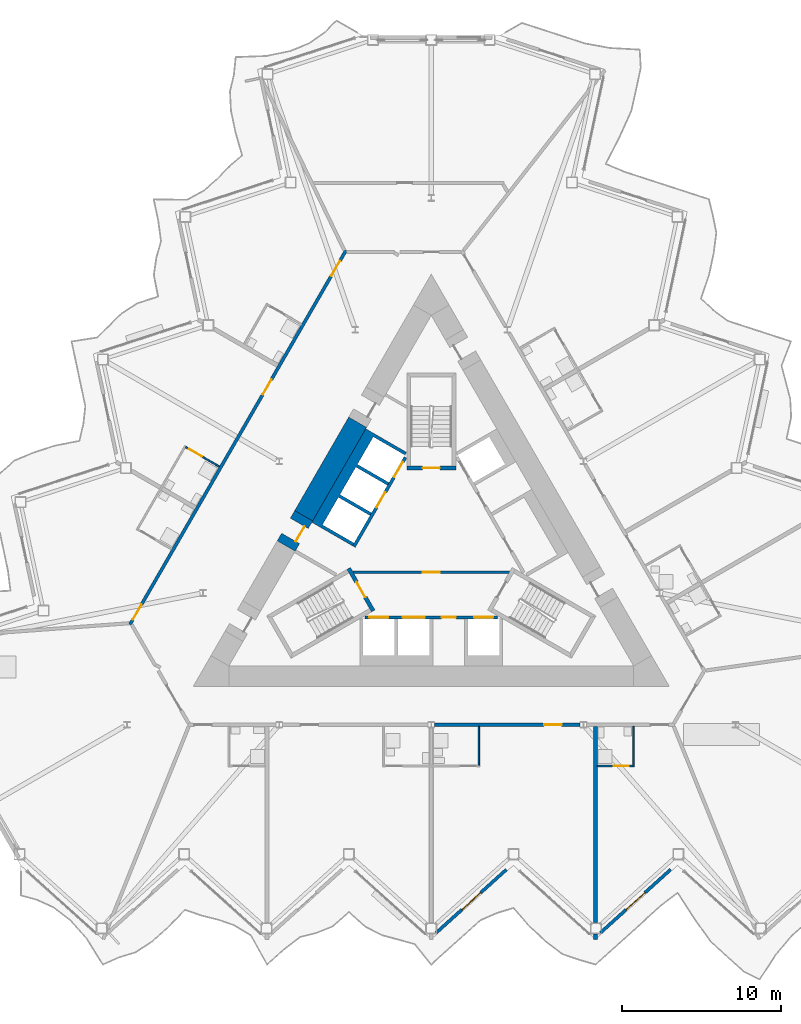
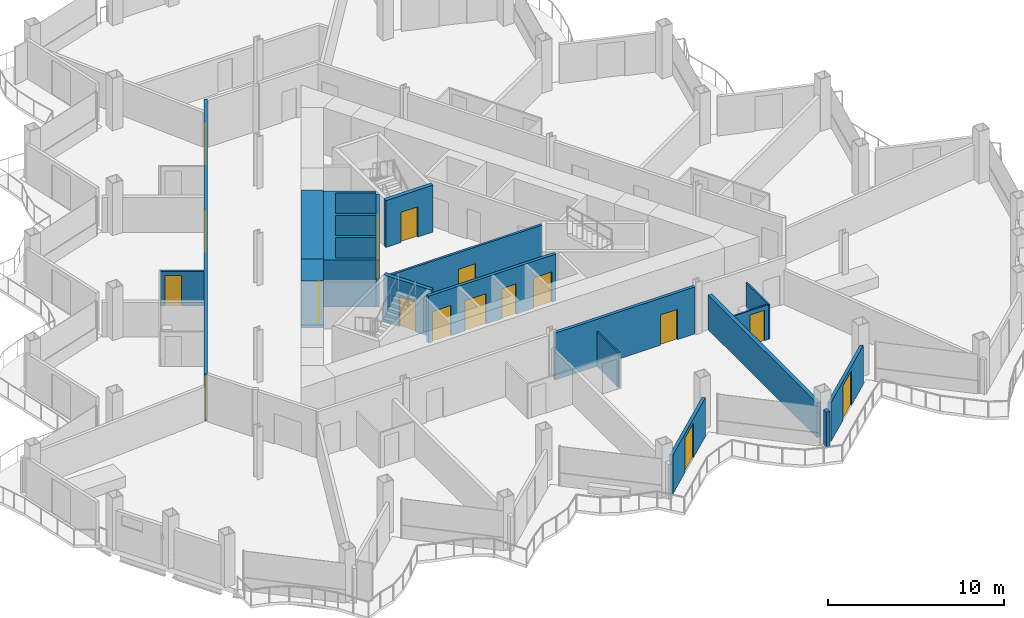
# One storey, part 12 of 24: 18 doors, 18 walls, 18 openings.
"""IFC4 building model written with IfcOpenShell, lengths in metres."""

from ifc_helpers import new_model, si_unit, direction, frame, frame_2d, origin, place, context, subcontext, project, spatial, polyline, rectangle, outline, extrude, material, layer, layer_set, type_object, element, fill, save


model = new_model("IFC4")

# Units and contexts
model_context = context("Model", 3, precision=1e-05, world=origin(), true_north=direction((0.0, 1.0)))
body_context = subcontext(model_context, "Body", "Model", "MODEL_VIEW")
ifc_project = project(units=[si_unit("LENGTHUNIT", "METRE"), si_unit("AREAUNIT", "SQUARE_METRE"), si_unit("VOLUMEUNIT", "CUBIC_METRE"), si_unit("PLANEANGLEUNIT", "RADIAN"), si_unit("MASSUNIT", "GRAM", prefix="KILO")], contexts=[model_context])

# Site, building, storey
site_placement = place(None, origin())
site = spatial("IfcSite", under=ifc_project, at=site_placement, CompositionType="ELEMENT")
building_placement = place(site_placement, origin())
building = spatial("IfcBuilding", under=site, at=building_placement, Name="Cormorant Prow Tower", CompositionType="ELEMENT")
storey_placement = place(building_placement, frame((0.0, 0.0, 238.199951171875)))
storey = spatial("IfcBuildingStorey", under=building, at=storey_placement, Name="L52", CompositionType="ELEMENT", Elevation=238.199951171875)

# Wall, opening, door
ifc_material_1 = material(Name="Gypsum board partition")
ifc_layer_1 = layer(ifc_material_1, 0.14990234375)
ifc_layer_set_1 = layer_set([ifc_layer_1], Name="Gypsum board partition")
wall_type_1 = type_object("IfcWallType", Name="Core partition 150", PredefinedType="PARTITIONING", material=ifc_layer_set_1)
wall_1_placement = place(storey_placement, frame((-4.941162109375, -1.449951171875, 0.0), z_axis=(0.0, 0.0, 1.0), x_axis=(1.0, 0.0, 0.0)))
wall_1 = element("IfcWall", 1, at=wall_1_placement, inside=storey, type_object=wall_type_1, Name="Firefighting lobby partition", PredefinedType="PARTITIONING", context=body_context, shape_type="SweptSolid", body=[
    extrude(rectangle(XDim=9.88232421875, YDim=0.14990234375, at=frame_2d((4.941162109375, 0.0))), origin(), (0.0, 0.0, 1.0), 3.25),
])
opening_1_placement = place(wall_1_placement, frame((4.39111328125, 0.0, 0.0)))
opening_1 = element("IfcOpeningElement", 2, at=opening_1_placement, cuts=wall_1, Name="Opening L52-C10", PredefinedType="OPENING", context=body_context, shape_type="SweptSolid", body=[
    extrude(rectangle(XDim=1.10009765625, YDim=2.10009765625, at=frame_2d((0.550048828125, 1.050048828125))), frame((0.0, 0.0849609375, 0.0), z_axis=(0.0, -1.0, 0.0), x_axis=(1.0, 0.0, 0.0)), (0.0, 0.0, 1.0), 0.169921875),
])
ifc_material_2 = material(Name="Painted steel", Category="steel")
door_type_1 = type_object("IfcDoorType", Name="Firefighting lobby door 1100x2100", OperationType="NOTDEFINED", PredefinedType="DOOR", material=ifc_material_2)
door_1_placement = place(opening_1_placement, origin())
door_1 = element("IfcDoor", 3, at=door_1_placement, inside=storey, type_object=door_type_1, Name="Firefighting lobby door", OperationType="SINGLE_SWING_RIGHT", OverallHeight=2.10009765625, OverallWidth=1.10009765625, PredefinedType="DOOR", context=body_context, shape_type="SweptSolid", body=[
    extrude(rectangle(XDim=1.10009765625, YDim=2.10009765625, at=frame_2d((0.550048828125, 1.050048828125))), frame((0.0, 0.02490234375, 0.0), z_axis=(0.0, -1.0, 0.0), x_axis=(1.0, 0.0, 0.0)), (0.0, 0.0, 1.0), 0.050048828125),
])
fill(opening_1, door_1)

# Wall
ifc_material_3 = material(Name="Concrete 8000 psi", Category="concrete")
ifc_layer_2 = layer(ifc_material_3, 1.300048828125)
ifc_layer_set_2 = layer_set([ifc_layer_2], Name="Concrete 8000 psi")
wall_type_2 = type_object("IfcWallType", Name="Core shear wall 1300", PredefinedType="SHEAR", material=ifc_layer_set_2)
wall_2_placement = place(storey_placement, frame((-4.63623046875, 7.989990234375, 0.0), z_axis=(0.0, 0.0, 1.0), x_axis=(-0.500022813292, -0.866012232124, 0.0)))
element("IfcWall", 4, at=wall_2_placement, inside=storey, type_object=wall_type_2, Name="Core wall", PredefinedType="SHEAR", context=body_context, shape_type="SweptSolid", body=[
    extrude(rectangle(XDim=6.801513671875, YDim=1.300048828125, at=frame_2d((3.40087890625, 0.0))), origin(), (0.0, 0.0, 1.0), 3.25),
])

# Wall, opening, door
wall_3_placement = place(storey_placement, frame((-8.037109375, 2.099853515625, 0.0), z_axis=(0.0, 0.0, 1.0), x_axis=(-0.50002983664, -0.866008176907, 0.0)))
wall_3 = element("IfcWall", 5, at=wall_3_placement, inside=storey, type_object=wall_type_2, Name="Core wall door panel", PredefinedType="SHEAR", context=body_context, shape_type="SweptSolid", body=[
    extrude(rectangle(XDim=2.199951171875, YDim=1.300048828125, at=frame_2d((1.10009765625, 0.0))), origin(), (0.0, 0.0, 1.0), 3.25),
])
opening_2_placement = place(wall_3_placement, frame((0.550048828125, 0.0, 0.0)))
opening_2 = element("IfcOpeningElement", 6, at=opening_2_placement, cuts=wall_3, Name="Opening L52-C18", PredefinedType="OPENING", context=body_context, shape_type="SweptSolid", body=[
    extrude(rectangle(XDim=1.10009765625, YDim=2.10009765625, at=frame_2d((0.550048828125, 1.050048828125))), frame((0.0, 0.659912109375, 0.0), z_axis=(0.0, -1.0, 0.0), x_axis=(1.0, 0.0, 0.0)), (0.0, 0.0, 1.0), 1.320068359375),
])
ifc_material_4 = material(Name="Painted steel", Category="steel")
door_type_2 = type_object("IfcDoorType", Name="Core door 1100x2100", OperationType="NOTDEFINED", PredefinedType="DOOR", material=ifc_material_4)
door_2_placement = place(opening_2_placement, origin())
door_2 = element("IfcDoor", 7, at=door_2_placement, inside=storey, type_object=door_type_2, Name="Core door, lift lobby", OperationType="SINGLE_SWING_RIGHT", OverallHeight=2.10009765625, OverallWidth=1.10009765625, PredefinedType="DOOR", context=body_context, shape_type="SweptSolid", body=[
    extrude(rectangle(XDim=1.10009765625, YDim=2.10009765625, at=frame_2d((0.550048828125, 1.050048828125))), frame((0.0, 0.40478515625, 0.0), z_axis=(0.0, -1.0, 0.0), x_axis=(1.0, 0.0, 0.0)), (0.0, 0.0, 1.0), 0.050048828125),
])
fill(opening_2, door_2)

# Wall, openings, doors
ifc_material_5 = material(Name="Gypsum board corridor wall")
ifc_layer_3 = layer(ifc_material_5, 0.199951171875)
ifc_layer_set_3 = layer_set([ifc_layer_3], Name="Gypsum board corridor wall")
wall_type_3 = type_object("IfcWallType", Name="Corridor wall 200", PredefinedType="PARTITIONING", material=ifc_layer_set_3)
wall_4_placement = place(storey_placement, frame((-18.97607421875, -4.746826171875, 0.0), z_axis=(0.0, 0.0, 1.0), x_axis=(0.499999852422, 0.866025488988, 0.0)))
wall_4 = element("IfcWall", 8, at=wall_4_placement, inside=storey, type_object=wall_type_3, Name="Corridor wall", PredefinedType="PARTITIONING", context=body_context, shape_type="SweptSolid", body=[
    extrude(rectangle(XDim=27.19775390625, YDim=0.199951171875, at=frame_2d((13.598876953125, 0.0))), origin(), (0.0, 0.0, 1.0), 3.25),
])
opening_3_placement = place(wall_4_placement, frame((25.345947265625, 0.0, 0.0)))
opening_3 = element("IfcOpeningElement", 9, at=opening_3_placement, cuts=wall_4, Name="Opening L52-F20", PredefinedType="OPENING", context=body_context, shape_type="SweptSolid", body=[
    extrude(rectangle(XDim=1.10009765625, YDim=2.10009765625, at=frame_2d((0.550048828125, 1.050048828125))), frame((0.0, 0.10986328125, 0.0), z_axis=(0.0, -1.0, 0.0), x_axis=(1.0, 0.0, 0.0)), (0.0, 0.0, 1.0), 0.219970703125),
])
opening_4_placement = place(wall_4_placement, frame((16.712890625, 0.0, 0.0)))
opening_4 = element("IfcOpeningElement", 10, at=opening_4_placement, cuts=wall_4, Name="Opening L52-F22", PredefinedType="OPENING", context=body_context, shape_type="SweptSolid", body=[
    extrude(rectangle(XDim=1.10009765625, YDim=2.10009765625, at=frame_2d((0.550048828125, 1.050048828125))), frame((0.0, 0.10986328125, 0.0), z_axis=(0.0, -1.0, 0.0), x_axis=(1.0, 0.0, 0.0)), (0.0, 0.0, 1.0), 0.219970703125),
])
opening_5_placement = place(wall_4_placement, frame((0.350341796875, 0.0, 0.0)))
opening_5 = element("IfcOpeningElement", 11, at=opening_5_placement, cuts=wall_4, Name="Opening L52-F24", PredefinedType="OPENING", context=body_context, shape_type="SweptSolid", body=[
    extrude(rectangle(XDim=1.10009765625, YDim=2.10009765625, at=frame_2d((0.550048828125, 1.050048828125))), frame((0.0, 0.10986328125, 0.0), z_axis=(0.0, -1.0, 0.0), x_axis=(1.0, 0.0, 0.0)), (0.0, 0.0, 1.0), 0.219970703125),
])
ifc_material_6 = material(Name="Timber door leaf", Category="wood")
door_type_3 = type_object("IfcDoorType", Name="Suite entrance door 1100x2100", OperationType="NOTDEFINED", PredefinedType="DOOR", material=ifc_material_6)
door_3_placement = place(opening_3_placement, origin())
door_3 = element("IfcDoor", 12, at=door_3_placement, inside=storey, type_object=door_type_3, Name="Executive suite bedroom door", OperationType="SINGLE_SWING_RIGHT", OverallHeight=2.10009765625, OverallWidth=1.10009765625, PredefinedType="DOOR", context=body_context, shape_type="SweptSolid", body=[
    extrude(rectangle(XDim=1.10009765625, YDim=2.10009765625, at=frame_2d((0.550048828125, 1.050048828125))), frame((0.0, 0.02490234375, 0.0), z_axis=(0.0, -1.0, 0.0), x_axis=(1.0, 0.0, 0.0)), (0.0, 0.0, 1.0), 0.050048828125),
])
fill(opening_3, door_3)
door_4_placement = place(opening_4_placement, origin())
door_4 = element("IfcDoor", 13, at=door_4_placement, inside=storey, type_object=door_type_3, Name="Junior suite door", OperationType="SINGLE_SWING_RIGHT", OverallHeight=2.10009765625, OverallWidth=1.10009765625, PredefinedType="DOOR", context=body_context, shape_type="SweptSolid", body=[
    extrude(rectangle(XDim=1.10009765625, YDim=2.10009765625, at=frame_2d((0.550048828125, 1.050048828125))), frame((0.0, 0.02490234375, 0.0), z_axis=(0.0, -1.0, 0.0), x_axis=(1.0, 0.0, 0.0)), (0.0, 0.0, 1.0), 0.050048828125),
])
fill(opening_4, door_4)
door_5_placement = place(opening_5_placement, origin())
door_5 = element("IfcDoor", 14, at=door_5_placement, inside=storey, type_object=door_type_3, Name="Executive suite bedroom door", OperationType="SINGLE_SWING_LEFT", OverallHeight=2.10009765625, OverallWidth=1.10009765625, PredefinedType="DOOR", context=body_context, shape_type="SweptSolid", body=[
    extrude(rectangle(XDim=1.10009765625, YDim=2.10009765625, at=frame_2d((0.550048828125, 1.050048828125))), frame((0.0, 0.02490234375, 0.0), z_axis=(0.0, -1.0, 0.0), x_axis=(1.0, 0.0, 0.0)), (0.0, 0.0, 1.0), 0.050048828125),
])
fill(opening_5, door_5)

# Wall, opening, door
wall_5_placement = place(storey_placement, frame((0.20947265625, -11.060302734375, 0.0), z_axis=(0.0, 0.0, 1.0), x_axis=(1.0, 0.0, 0.0)))
wall_5 = element("IfcWall", 15, at=wall_5_placement, inside=storey, type_object=wall_type_3, Name="Corridor wall", PredefinedType="PARTITIONING", context=body_context, shape_type="SweptSolid", body=[
    extrude(rectangle(XDim=9.159423828125, YDim=0.199951171875, at=frame_2d((4.57958984375, 0.0))), origin(), (0.0, 0.0, 1.0), 3.25),
])
opening_6_placement = place(wall_5_placement, frame((6.90234375, 0.0, 0.0)))
opening_6 = element("IfcOpeningElement", 16, at=opening_6_placement, cuts=wall_5, Name="Opening L52-F05", PredefinedType="OPENING", context=body_context, shape_type="SweptSolid", body=[
    extrude(rectangle(XDim=1.10009765625, YDim=2.10009765625, at=frame_2d((0.550048828125, 1.050048828125))), frame((0.0, 0.10986328125, 0.0), z_axis=(0.0, -1.0, 0.0), x_axis=(1.0, 0.0, 0.0)), (0.0, 0.0, 1.0), 0.219970703125),
])
door_6_placement = place(opening_6_placement, origin())
door_6 = element("IfcDoor", 17, at=door_6_placement, inside=storey, type_object=door_type_3, Name="Junior suite door", OperationType="SINGLE_SWING_LEFT", OverallHeight=2.10009765625, OverallWidth=1.10009765625, PredefinedType="DOOR", context=body_context, shape_type="SweptSolid", body=[
    extrude(rectangle(XDim=1.10009765625, YDim=2.10009765625, at=frame_2d((0.550048828125, 1.050048828125))), frame((0.0, 0.02490234375, 0.0), z_axis=(0.0, -1.0, 0.0), x_axis=(1.0, 0.0, 0.0)), (0.0, 0.0, 1.0), 0.050048828125),
])
fill(opening_6, door_6)

ifc_material_7 = material(Name="Gypsum board partition")
ifc_layer_4 = layer(ifc_material_7, 0.10009765625)
ifc_layer_set_4 = layer_set([ifc_layer_4], Name="Gypsum board partition")
wall_type_4 = type_object("IfcWallType", Name="Internal partition 100", PredefinedType="PARTITIONING", material=ifc_layer_set_4)
wall_6_placement = place(storey_placement, frame((-15.470947265625, 6.42431640625, 0.0), z_axis=(0.0, 0.0, 1.0), x_axis=(0.866014668023, -0.500018594424, 0.0)))
wall_6 = element("IfcWall", 18, at=wall_6_placement, inside=storey, type_object=wall_type_4, Name="Internal partition", PredefinedType="PARTITIONING", context=body_context, shape_type="SweptSolid", body=[
    extrude(rectangle(XDim=2.4501953125, YDim=0.10009765625, at=frame_2d((1.22509765625, 0.0))), origin(), (0.0, 0.0, 1.0), 2.404296875),
])
opening_7_placement = place(wall_6_placement, frame((0.25, 0.0, 0.0)))
opening_7 = element("IfcOpeningElement", 19, at=opening_7_placement, cuts=wall_6, Name="Opening L52-F23", PredefinedType="OPENING", context=body_context, shape_type="SweptSolid", body=[
    extrude(rectangle(XDim=0.949951171875, YDim=2.10009765625, at=frame_2d((0.47509765625, 1.050048828125))), frame((0.0, 0.06005859375, 0.0), z_axis=(0.0, -1.0, 0.0), x_axis=(1.0, 0.0, 0.0)), (0.0, 0.0, 1.0), 0.1201171875),
])
ifc_material_8 = material(Name="Timber door leaf", Category="wood")
door_type_4 = type_object("IfcDoorType", Name="Bathroom door 950x2100", OperationType="NOTDEFINED", PredefinedType="DOOR", material=ifc_material_8)
door_7_placement = place(opening_7_placement, origin())
door_7 = element("IfcDoor", 20, at=door_7_placement, inside=storey, type_object=door_type_4, Name="Junior suite door", OperationType="SINGLE_SWING_LEFT", OverallHeight=2.10009765625, OverallWidth=0.949951171875, PredefinedType="DOOR", context=body_context, shape_type="SweptSolid", body=[
    extrude(rectangle(XDim=0.949951171875, YDim=2.10009765625, at=frame_2d((0.47509765625, 1.050048828125))), frame((0.0, 0.02490234375, 0.0), z_axis=(0.0, -1.0, 0.0), x_axis=(1.0, 0.0, 0.0)), (0.0, 0.0, 1.0), 0.050048828125),
])
fill(opening_7, door_7)

# Walls
wall_7_placement = place(storey_placement, frame((3.0, -13.6103515625, 0.0), z_axis=(0.0, 0.0, 1.0), x_axis=(0.0, 1.0, 0.0)))
element("IfcWall", 21, at=wall_7_placement, inside=storey, type_object=wall_type_4, Name="Internal partition", PredefinedType="PARTITIONING", context=body_context, shape_type="SweptSolid", body=[
    extrude(rectangle(XDim=2.449951171875, YDim=0.10009765625, at=frame_2d((1.22509765625, 0.0))), origin(), (0.0, 0.0, 1.0), 2.404296875),
])
wall_8_placement = place(storey_placement, frame((12.743896484375, -13.710205078125, 0.0), z_axis=(0.0, 0.0, 1.0), x_axis=(0.0, 1.0, 0.0)))
element("IfcWall", 22, at=wall_8_placement, inside=storey, type_object=wall_type_4, Name="Internal partition", PredefinedType="PARTITIONING", context=body_context, shape_type="SweptSolid", body=[
    extrude(rectangle(XDim=2.5498046875, YDim=0.10009765625, at=frame_2d((1.27490234375, 0.0))), origin(), (0.0, 0.0, 1.0), 2.404296875),
])

# Wall, opening, door
wall_9_placement = place(storey_placement, frame((10.46875, -13.660400390625, 0.0), z_axis=(0.0, 0.0, 1.0), x_axis=(1.0, 0.0, 0.0)))
wall_9 = element("IfcWall", 23, at=wall_9_placement, inside=storey, type_object=wall_type_4, Name="Internal partition", PredefinedType="PARTITIONING", context=body_context, shape_type="SweptSolid", body=[
    extrude(rectangle(XDim=2.22509765625, YDim=0.10009765625, at=frame_2d((1.112548828125, 0.0))), origin(), (0.0, 0.0, 1.0), 2.404296875),
])
opening_8_placement = place(wall_9_placement, frame((1.02490234375, 0.0, 0.0)))
opening_8 = element("IfcOpeningElement", 24, at=opening_8_placement, cuts=wall_9, Name="Opening L52-F08", PredefinedType="OPENING", context=body_context, shape_type="SweptSolid", body=[
    extrude(rectangle(XDim=0.949951171875, YDim=2.10009765625, at=frame_2d((0.47509765625, 1.050048828125))), frame((0.0, 0.06005859375, 0.0), z_axis=(0.0, -1.0, 0.0), x_axis=(1.0, 0.0, 0.0)), (0.0, 0.0, 1.0), 0.1201171875),
])
door_8_placement = place(opening_8_placement, origin())
door_8 = element("IfcDoor", 25, at=door_8_placement, inside=storey, type_object=door_type_4, Name="Junior suite door", OperationType="SINGLE_SWING_RIGHT", OverallHeight=2.10009765625, OverallWidth=0.949951171875, PredefinedType="DOOR", context=body_context, shape_type="SweptSolid", body=[
    extrude(rectangle(XDim=0.949951171875, YDim=2.10009765625, at=frame_2d((0.47509765625, 1.050048828125))), frame((0.0, 0.02490234375, 0.0), z_axis=(0.0, -1.0, 0.0), x_axis=(1.0, 0.0, 0.0)), (0.0, 0.0, 1.0), 0.050048828125),
])
fill(opening_8, door_8)

# Wall, openings, doors
ifc_material_9 = material(Name="Concrete 5000 psi", Category="concrete")
ifc_layer_5 = layer(ifc_material_9, 0.199951171875)
ifc_layer_set_5 = layer_set([ifc_layer_5], Name="Concrete 5000 psi")
wall_type_5 = type_object("IfcWallType", Name="Lift lobby wall 200", PredefinedType="SOLIDWALL", material=ifc_layer_set_5)
wall_10_placement = place(storey_placement, frame((-4.1865234375, -4.300048828125, 0.0), z_axis=(0.0, 0.0, 1.0), x_axis=(1.0, 0.0, 0.0)))
wall_10 = element("IfcWall", 26, at=wall_10_placement, inside=storey, type_object=wall_type_5, Name="Lift lobby wall, S block", PredefinedType="SOLIDWALL", context=body_context, shape_type="SweptSolid", body=[
    extrude(rectangle(XDim=8.373046875, YDim=0.199951171875, at=frame_2d((4.1865234375, 0.0))), origin(), (0.0, 0.0, 1.0), 3.25),
])
opening_9_placement = place(wall_10_placement, frame((0.28662109375, 0.0, 0.0)))
opening_9 = element("IfcOpeningElement", 27, at=opening_9_placement, cuts=wall_10, Name="Opening L52-C01", PredefinedType="OPENING", context=body_context, shape_type="SweptSolid", body=[
    extrude(rectangle(XDim=1.199951171875, YDim=2.10009765625, at=frame_2d((0.60009765625, 1.050048828125))), frame((0.0, 0.10986328125, 0.0), z_axis=(0.0, -1.0, 0.0), x_axis=(1.0, 0.0, 0.0)), (0.0, 0.0, 1.0), 0.219970703125),
])
opening_10_placement = place(wall_10_placement, frame((2.38671875, 0.0, 0.0)))
opening_10 = element("IfcOpeningElement", 28, at=opening_10_placement, cuts=wall_10, Name="Opening L52-C02", PredefinedType="OPENING", context=body_context, shape_type="SweptSolid", body=[
    extrude(rectangle(XDim=1.39990234375, YDim=2.10009765625, at=frame_2d((0.699951171875, 1.050048828125))), frame((0.0, 0.10986328125, 0.0), z_axis=(0.0, -1.0, 0.0), x_axis=(1.0, 0.0, 0.0)), (0.0, 0.0, 1.0), 0.219970703125),
])
opening_11_placement = place(wall_10_placement, frame((4.836669921875, 0.0, 0.0)))
opening_11 = element("IfcOpeningElement", 29, at=opening_11_placement, cuts=wall_10, Name="Opening L52-C03", PredefinedType="OPENING", context=body_context, shape_type="SweptSolid", body=[
    extrude(rectangle(XDim=0.89990234375, YDim=2.10009765625, at=frame_2d((0.449951171875, 1.050048828125))), frame((0.0, 0.10986328125, 0.0), z_axis=(0.0, -1.0, 0.0), x_axis=(1.0, 0.0, 0.0)), (0.0, 0.0, 1.0), 0.219970703125),
])
opening_12_placement = place(wall_10_placement, frame((6.88671875, 0.0, 0.0)))
opening_12 = element("IfcOpeningElement", 30, at=opening_12_placement, cuts=wall_10, Name="Opening L52-C04", PredefinedType="OPENING", context=body_context, shape_type="SweptSolid", body=[
    extrude(rectangle(XDim=1.199951171875, YDim=2.10009765625, at=frame_2d((0.60009765625, 1.050048828125))), frame((0.0, 0.10986328125, 0.0), z_axis=(0.0, -1.0, 0.0), x_axis=(1.0, 0.0, 0.0)), (0.0, 0.0, 1.0), 0.219970703125),
])
ifc_material_10 = material(Name="Painted steel", Category="steel")
door_type_5 = type_object("IfcDoorType", Name="Firefighting lift landing door 1200x2100", OperationType="SLIDING_TO_LEFT", PredefinedType="DOOR", material=ifc_material_10)
door_9_placement = place(opening_9_placement, origin())
door_9 = element("IfcDoor", 31, at=door_9_placement, inside=storey, type_object=door_type_5, Name="Landing door FL1", OperationType="SLIDING_TO_LEFT", OverallHeight=2.10009765625, OverallWidth=1.199951171875, PredefinedType="DOOR", context=body_context, shape_type="SweptSolid", body=[
    extrude(rectangle(XDim=1.199951171875, YDim=2.10009765625, at=frame_2d((0.60009765625, 1.050048828125))), frame((0.0, 0.02490234375, 0.0), z_axis=(0.0, -1.0, 0.0), x_axis=(1.0, 0.0, 0.0)), (0.0, 0.0, 1.0), 0.050048828125),
])
fill(opening_9, door_9)
door_10_placement = place(opening_12_placement, origin())
door_10 = element("IfcDoor", 32, at=door_10_placement, inside=storey, type_object=door_type_5, Name="Landing door FL2", OperationType="SLIDING_TO_LEFT", OverallHeight=2.10009765625, OverallWidth=1.199951171875, PredefinedType="DOOR", context=body_context, shape_type="SweptSolid", body=[
    extrude(rectangle(XDim=1.199951171875, YDim=2.10009765625, at=frame_2d((0.60009765625, 1.050048828125))), frame((0.0, 0.02490234375, 0.0), z_axis=(0.0, -1.0, 0.0), x_axis=(1.0, 0.0, 0.0)), (0.0, 0.0, 1.0), 0.050048828125),
])
fill(opening_12, door_10)
ifc_material_11 = material(Name="Painted steel", Category="steel")
door_type_6 = type_object("IfcDoorType", Name="Service door 900x2100", OperationType="NOTDEFINED", PredefinedType="DOOR", material=ifc_material_11)
door_11_placement = place(opening_11_placement, origin())
door_11 = element("IfcDoor", 33, at=door_11_placement, inside=storey, type_object=door_type_6, Name="Service door, Pantry store", OperationType="SINGLE_SWING_RIGHT", OverallHeight=2.10009765625, OverallWidth=0.89990234375, PredefinedType="DOOR", context=body_context, shape_type="SweptSolid", body=[
    extrude(rectangle(XDim=0.89990234375, YDim=2.10009765625, at=frame_2d((0.449951171875, 1.050048828125))), frame((0.0, 0.02490234375, 0.0), z_axis=(0.0, -1.0, 0.0), x_axis=(1.0, 0.0, 0.0)), (0.0, 0.0, 1.0), 0.050048828125),
])
fill(opening_11, door_11)
ifc_material_12 = material(Name="Painted steel", Category="steel")
door_type_7 = type_object("IfcDoorType", Name="Service lift landing door 1400x2100", OperationType="SLIDING_TO_LEFT", PredefinedType="DOOR", material=ifc_material_12)
door_12_placement = place(opening_10_placement, origin())
door_12 = element("IfcDoor", 34, at=door_12_placement, inside=storey, type_object=door_type_7, Name="Landing door SL1", OperationType="SLIDING_TO_LEFT", OverallHeight=2.10009765625, OverallWidth=1.39990234375, PredefinedType="DOOR", context=body_context, shape_type="SweptSolid", body=[
    extrude(rectangle(XDim=1.39990234375, YDim=2.10009765625, at=frame_2d((0.699951171875, 1.050048828125))), frame((0.0, 0.02490234375, 0.0), z_axis=(0.0, -1.0, 0.0), x_axis=(1.0, 0.0, 0.0)), (0.0, 0.0, 1.0), 0.050048828125),
])
fill(opening_10, door_12)

wall_11_placement = place(storey_placement, frame((-1.630615234375, 5.775634765625, 0.0), z_axis=(0.0, 0.0, 1.0), x_axis=(-0.499992876559, -0.866029516466, 0.0)))
wall_11 = element("IfcWall", 35, at=wall_11_placement, inside=storey, type_object=wall_type_5, Name="Lift lobby wall, WNW block", PredefinedType="SOLIDWALL", context=body_context, shape_type="SweptSolid", body=[
    extrude(rectangle(XDim=6.486328125, YDim=0.199951171875, at=frame_2d((3.2431640625, 0.0))), origin(), (0.0, 0.0, 1.0), 3.25),
])
opening_13_placement = place(wall_11_placement, frame((0.336669921875, 0.0, 0.0)))
opening_13 = element("IfcOpeningElement", 36, at=opening_13_placement, cuts=wall_11, Name="Opening L52-C08", PredefinedType="OPENING", context=body_context, shape_type="SweptSolid", body=[
    extrude(rectangle(XDim=1.10009765625, YDim=2.10009765625, at=frame_2d((0.550048828125, 1.050048828125))), frame((0.0, 0.10986328125, 0.0), z_axis=(0.0, -1.0, 0.0), x_axis=(1.0, 0.0, 0.0)), (0.0, 0.0, 1.0), 0.219970703125),
])
opening_14_placement = place(wall_11_placement, frame((2.53662109375, 0.0, 0.0)))
opening_14 = element("IfcOpeningElement", 37, at=opening_14_placement, cuts=wall_11, Name="Opening L52-C09", PredefinedType="OPENING", context=body_context, shape_type="SweptSolid", body=[
    extrude(rectangle(XDim=1.10009765625, YDim=2.10009765625, at=frame_2d((0.550048828125, 1.050048828125))), frame((0.0, 0.10986328125, 0.0), z_axis=(0.0, -1.0, 0.0), x_axis=(1.0, 0.0, 0.0)), (0.0, 0.0, 1.0), 0.219970703125),
])
ifc_material_13 = material(Name="Painted steel", Category="steel")
door_type_8 = type_object("IfcDoorType", Name="Lift landing door 1100x2100", OperationType="SLIDING_TO_LEFT", PredefinedType="DOOR", material=ifc_material_13)
door_13_placement = place(opening_13_placement, origin())
door_13 = element("IfcDoor", 38, at=door_13_placement, inside=storey, type_object=door_type_8, Name="Landing door MR2", OperationType="SLIDING_TO_LEFT", OverallHeight=2.10009765625, OverallWidth=1.10009765625, PredefinedType="DOOR", context=body_context, shape_type="SweptSolid", body=[
    extrude(rectangle(XDim=1.10009765625, YDim=2.10009765625, at=frame_2d((0.550048828125, 1.050048828125))), frame((0.0, 0.02490234375, 0.0), z_axis=(0.0, -1.0, 0.0), x_axis=(1.0, 0.0, 0.0)), (0.0, 0.0, 1.0), 0.050048828125),
])
fill(opening_13, door_13)
door_14_placement = place(opening_14_placement, origin())
door_14 = element("IfcDoor", 39, at=door_14_placement, inside=storey, type_object=door_type_8, Name="Landing door MR3", OperationType="SLIDING_TO_LEFT", OverallHeight=2.10009765625, OverallWidth=1.10009765625, PredefinedType="DOOR", context=body_context, shape_type="SweptSolid", body=[
    extrude(rectangle(XDim=1.10009765625, YDim=2.10009765625, at=frame_2d((0.550048828125, 1.050048828125))), frame((0.0, 0.02490234375, 0.0), z_axis=(0.0, -1.0, 0.0), x_axis=(1.0, 0.0, 0.0)), (0.0, 0.0, 1.0), 0.050048828125),
])
fill(opening_14, door_14)

# Wall
ifc_material_14 = material(Name="Concrete 8000 psi", Category="concrete")
ifc_layer_6 = layer(ifc_material_14, 0.199951171875)
ifc_layer_set_6 = layer_set([ifc_layer_6], Name="Concrete 8000 psi")
wall_type_6 = type_object("IfcWallType", Name="Lift shaft wall 200", PredefinedType="SHEAR", material=ifc_layer_set_6)
wall_12_placement = place(storey_placement, origin())
element("IfcWall", 40, at=wall_12_placement, inside=storey, type_object=wall_type_6, Name="Lift shaft walls, WNW block", PredefinedType="SHEAR", context=body_context, shape_type="SweptSolid", body=[
    extrude(outline(polyline([(-7.524169921875, 1.688232421875), (-4.124267578125, 7.5771484375), (-3.730712890625, 7.35009765625), (-1.560546875, 6.09716796875), (-1.660400390625, 5.923828125), (-3.65234375, 7.073974609375), (-4.65234375, 5.341796875), (-2.660400390625, 4.19189453125), (-2.760498046875, 4.018798828125), (-4.75244140625, 5.168701171875), (-5.75244140625, 3.4365234375), (-3.760498046875, 2.28662109375), (-3.860595703125, 2.11328125), (-5.852294921875, 3.263427734375), (-6.852294921875, 1.53125), (-4.860595703125, 0.38134765625), (-4.96044921875, 0.2080078125), (-7.130859375, 1.461181640625), (-7.524169921875, 1.688232421875)])), origin(), (0.0, 0.0, 1.0), 3.25),
])

# Wall, opening, door
ifc_material_15 = material(Name="Concrete 8000 psi", Category="concrete")
ifc_layer_7 = layer(ifc_material_15, 0.25)
ifc_layer_set_7 = layer_set([ifc_layer_7], Name="Concrete 8000 psi")
wall_type_7 = type_object("IfcWallType", Name="Stair wall 250", PredefinedType="SHEAR", material=ifc_layer_set_7)
wall_13_placement = place(storey_placement, frame((-5.198974609375, -1.21875, 0.0), z_axis=(0.0, 0.0, 1.0), x_axis=(0.499982516597, -0.866035497597, 0.0)))
wall_13 = element("IfcWall", 41, at=wall_13_placement, inside=storey, type_object=wall_type_7, Name="Stair ST1 door wall", PredefinedType="SHEAR", context=body_context, shape_type="SweptSolid", body=[
    extrude(rectangle(XDim=3.087890625, YDim=0.25, at=frame_2d((1.5439453125, 0.0))), origin(), (0.0, 0.0, 1.0), 3.25),
])
opening_15_placement = place(wall_13_placement, frame((0.993896484375, 0.0, 0.0)))
opening_15 = element("IfcOpeningElement", 42, at=opening_15_placement, cuts=wall_13, Name="Opening L52-C11", PredefinedType="OPENING", context=body_context, shape_type="SweptSolid", body=[
    extrude(rectangle(XDim=1.10009765625, YDim=2.10009765625, at=frame_2d((0.550048828125, 1.050048828125))), frame((0.0, 0.135009765625, 0.0), z_axis=(0.0, -1.0, 0.0), x_axis=(1.0, 0.0, 0.0)), (0.0, 0.0, 1.0), 0.27001953125),
])
ifc_material_16 = material(Name="Painted steel", Category="steel")
door_type_9 = type_object("IfcDoorType", Name="Stair door 1100x2100", OperationType="NOTDEFINED", PredefinedType="DOOR", material=ifc_material_16)
door_15_placement = place(opening_15_placement, origin())
door_15 = element("IfcDoor", 43, at=door_15_placement, inside=storey, type_object=door_type_9, Name="Stair ST1 door", OperationType="SINGLE_SWING_LEFT", OverallHeight=2.10009765625, OverallWidth=1.10009765625, PredefinedType="DOOR", context=body_context, shape_type="SweptSolid", body=[
    extrude(rectangle(XDim=1.10009765625, YDim=2.10009765625, at=frame_2d((0.550048828125, 1.050048828125))), frame((0.0, 0.02490234375, 0.0), z_axis=(0.0, -1.0, 0.0), x_axis=(1.0, 0.0, 0.0)), (0.0, 0.0, 1.0), 0.050048828125),
])
fill(opening_15, door_15)

wall_14_placement = place(storey_placement, frame((1.5439453125, 5.11181640625, 0.0), z_axis=(0.0, 0.0, 1.0), x_axis=(-1.0, 0.0, 0.0)))
wall_14 = element("IfcWall", 44, at=wall_14_placement, inside=storey, type_object=wall_type_7, Name="Stair ST3 door wall", PredefinedType="SHEAR", context=body_context, shape_type="SweptSolid", body=[
    extrude(rectangle(XDim=3.087890625, YDim=0.25, at=frame_2d((1.5439453125, 0.0))), origin(), (0.0, 0.0, 1.0), 3.25),
])
opening_16_placement = place(wall_14_placement, frame((0.993896484375, 0.0, 0.0)))
opening_16 = element("IfcOpeningElement", 45, at=opening_16_placement, cuts=wall_14, Name="Opening L52-C13", PredefinedType="OPENING", context=body_context, shape_type="SweptSolid", body=[
    extrude(rectangle(XDim=1.10009765625, YDim=2.10009765625, at=frame_2d((0.550048828125, 1.050048828125))), frame((0.0, 0.135009765625, 0.0), z_axis=(0.0, -1.0, 0.0), x_axis=(1.0, 0.0, 0.0)), (0.0, 0.0, 1.0), 0.27001953125),
])
door_16_placement = place(opening_16_placement, origin())
door_16 = element("IfcDoor", 46, at=door_16_placement, inside=storey, type_object=door_type_9, Name="Stair ST3 door", OperationType="SINGLE_SWING_RIGHT", OverallHeight=2.10009765625, OverallWidth=1.10009765625, PredefinedType="DOOR", context=body_context, shape_type="SweptSolid", body=[
    extrude(rectangle(XDim=1.10009765625, YDim=2.10009765625, at=frame_2d((0.550048828125, 1.050048828125))), frame((0.0, 0.02490234375, 0.0), z_axis=(0.0, -1.0, 0.0), x_axis=(1.0, 0.0, 0.0)), (0.0, 0.0, 1.0), 0.050048828125),
])
fill(opening_16, door_16)

# Walls
ifc_material_17 = material(Name="Acoustic gypsum party wall")
ifc_layer_8 = layer(ifc_material_17, 0.25)
ifc_layer_set_8 = layer_set([ifc_layer_8], Name="Acoustic gypsum party wall")
wall_type_8 = type_object("IfcWallType", Name="Suite party wall 250", PredefinedType="PARTITIONING", material=ifc_layer_set_8)
wall_15_placement = place(storey_placement, frame((10.34375, -23.52685546875, 0.0), z_axis=(0.0, 0.0, 1.0), x_axis=(0.0, 1.0, 0.0)))
element("IfcWall", 47, at=wall_15_placement, inside=storey, type_object=wall_type_8, Name="Suite party wall", PredefinedType="PARTITIONING", context=body_context, shape_type="SweptSolid", body=[
    extrude(rectangle(XDim=12.366455078125, YDim=0.25, at=frame_2d((6.18310546875, 0.0))), origin(), (0.0, 0.0, 1.0), 2.404296875),
])
wall_16_placement = place(storey_placement, frame((10.34375, -24.57958984375, 0.0), z_axis=(0.0, 0.0, 1.0), x_axis=(0.0, 1.0, 0.0)))
element("IfcWall", 48, at=wall_16_placement, inside=storey, type_object=wall_type_8, Name="Suite party wall", PredefinedType="PARTITIONING", context=body_context, shape_type="SweptSolid", body=[
    extrude(rectangle(XDim=0.332763671875, YDim=0.25, at=frame_2d((0.16650390625, 0.0))), origin(), (0.0, 0.0, 1.0), 2.404296875),
])

# Wall, opening, door
ifc_material_18 = material(Name="Terracotta", Category="masonry")
ifc_layer_9 = layer(ifc_material_18, 0.199951171875)
ifc_layer_set_9 = layer_set([ifc_layer_9], Name="Terracotta")
wall_type_9 = type_object("IfcWallType", Name="Terracotta jamb wall 200", PredefinedType="SOLIDWALL", material=ifc_layer_set_9)
wall_17_placement = place(storey_placement, frame((0.305419921875, -24.170166015625, 0.0), z_axis=(0.0, 0.0, 1.0), x_axis=(0.743143336638, 0.669132259878, 0.0)))
wall_17 = element("IfcWall", 49, at=wall_17_placement, inside=storey, type_object=wall_type_9, Name="Terracotta jamb wall S05", PredefinedType="SOLIDWALL", context=body_context, shape_type="SweptSolid", body=[
    extrude(rectangle(XDim=5.95751953125, YDim=0.199951171875, at=frame_2d((2.978759765625, 0.0))), origin(), (0.0, 0.0, 1.0), 2.700927734375),
])
opening_17_placement = place(wall_17_placement, frame((2.1787109375, 0.0, 0.0)))
opening_17 = element("IfcOpeningElement", 50, at=opening_17_placement, cuts=wall_17, Name="Opening ED52.03", PredefinedType="OPENING", context=body_context, shape_type="SweptSolid", body=[
    extrude(rectangle(XDim=1.60009765625, YDim=2.39990234375, at=frame_2d((0.800048828125, 1.199951171875))), frame((0.0, 0.10986328125, 0.0), z_axis=(0.0, -1.0, 0.0), x_axis=(1.0, 0.0, 0.0)), (0.0, 0.0, 1.0), 0.219970703125),
])
ifc_material_19 = material(Name="Aluminium 6063-T6", Category="aluminium")
door_type_10 = type_object("IfcDoorType", Name="Balcony door 1600x2400", OperationType="DOUBLE_DOOR_SINGLE_SWING", PredefinedType="DOOR", material=ifc_material_19)
door_17_placement = place(opening_17_placement, origin())
door_17 = element("IfcDoor", 51, at=door_17_placement, inside=storey, type_object=door_type_10, Name="Balcony door S05 ED52.03", OperationType="DOUBLE_DOOR_SINGLE_SWING", OverallHeight=2.39990234375, OverallWidth=1.60009765625, PredefinedType="DOOR", context=body_context, shape_type="SweptSolid", body=[
    extrude(rectangle(XDim=1.60009765625, YDim=2.39990234375, at=frame_2d((0.800048828125, 1.199951171875))), frame((0.0, 0.02490234375, 0.0), z_axis=(0.0, -1.0, 0.0), x_axis=(1.0, 0.0, 0.0)), (0.0, 0.0, 1.0), 0.050048828125),
])
fill(opening_17, door_17)

wall_18_placement = place(storey_placement, frame((10.649169921875, -24.170166015625, 0.0), z_axis=(0.0, 0.0, 1.0), x_axis=(0.743143336638, 0.669132259878, 0.0)))
wall_18 = element("IfcWall", 52, at=wall_18_placement, inside=storey, type_object=wall_type_9, Name="Terracotta jamb wall S07", PredefinedType="SOLIDWALL", context=body_context, shape_type="SweptSolid", body=[
    extrude(rectangle(XDim=5.95751953125, YDim=0.199951171875, at=frame_2d((2.978759765625, 0.0))), origin(), (0.0, 0.0, 1.0), 2.700927734375),
])
opening_18_placement = place(wall_18_placement, frame((2.1787109375, 0.0, 0.0)))
opening_18 = element("IfcOpeningElement", 53, at=opening_18_placement, cuts=wall_18, Name="Opening ED52.04", PredefinedType="OPENING", context=body_context, shape_type="SweptSolid", body=[
    extrude(rectangle(XDim=1.60009765625, YDim=2.39990234375, at=frame_2d((0.800048828125, 1.199951171875))), frame((0.0, 0.10986328125, 0.0), z_axis=(0.0, -1.0, 0.0), x_axis=(1.0, 0.0, 0.0)), (0.0, 0.0, 1.0), 0.219970703125),
])
door_18_placement = place(opening_18_placement, origin())
door_18 = element("IfcDoor", 54, at=door_18_placement, inside=storey, type_object=door_type_10, Name="Balcony door S07 ED52.04", OperationType="DOUBLE_DOOR_SINGLE_SWING", OverallHeight=2.39990234375, OverallWidth=1.60009765625, PredefinedType="DOOR", context=body_context, shape_type="SweptSolid", body=[
    extrude(rectangle(XDim=1.60009765625, YDim=2.39990234375, at=frame_2d((0.800048828125, 1.199951171875))), frame((0.0, 0.02490234375, 0.0), z_axis=(0.0, -1.0, 0.0), x_axis=(1.0, 0.0, 0.0)), (0.0, 0.0, 1.0), 0.050048828125),
])
fill(opening_18, door_18)

save(model, "model.ifc")
